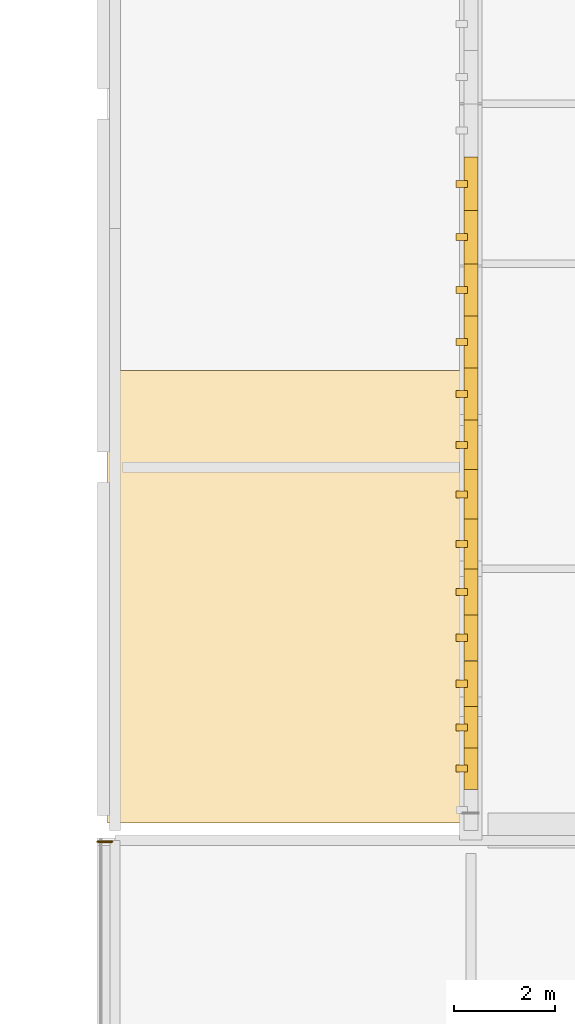
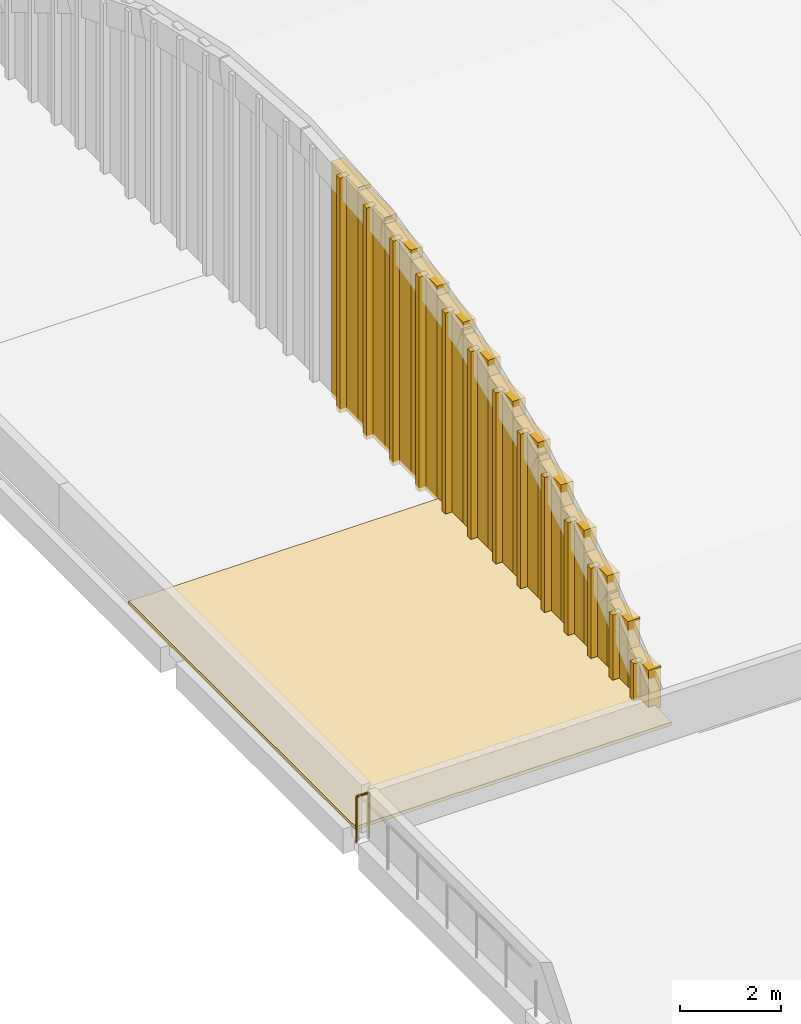
# One storey, part 61 of 71: 27 coverings, 1 railing.
"""IFC4 building model written with IfcOpenShell, lengths in metres."""

from ifc_helpers import new_model, si_unit, direction, frame, frame_2d, origin, origin_2d, place, context, subcontext, project, spatial, polyline, rectangle, circle, outline, extrude, material, layer, layer_set, type_object, element, save


model = new_model("IFC4")

# Units and contexts
model_context = context("Model", 3, precision=1e-05, world=origin(), true_north=direction((0.0, 1.0)))
body_context = subcontext(model_context, "Body", "Model", "MODEL_VIEW")
ifc_project = project(units=[si_unit("LENGTHUNIT", "METRE"), si_unit("AREAUNIT", "SQUARE_METRE"), si_unit("VOLUMEUNIT", "CUBIC_METRE"), si_unit("PLANEANGLEUNIT", "RADIAN"), si_unit("MASSUNIT", "GRAM", prefix="KILO")], contexts=[model_context])

# Site, building, storey
site_placement = place(None, origin())
site = spatial("IfcSite", under=ifc_project, at=site_placement, CompositionType="ELEMENT")
building_placement = place(site_placement, origin())
building = spatial("IfcBuilding", under=site, at=building_placement, Name="Sardonyx Promenade Sports Hall", CompositionType="ELEMENT")
storey_placement = place(building_placement, frame((0.0, 0.0, 16.0)))
storey = spatial("IfcBuildingStorey", under=building, at=storey_placement, Name="L03", CompositionType="ELEMENT", Elevation=16.0)

# Coverings
ifc_material_1 = material(Name="Glulam GL28h", Category="wood")
ifc_layer_1 = layer(ifc_material_1, 0.110107421875)
ifc_layer_set_1 = layer_set([ifc_layer_1], Name="Cov_Louvre_GL28h")
covering_type_1 = type_object("IfcCoveringType", Name="Cov_Louvre_GL28h", PredefinedType="MOLDING", material=ifc_layer_set_1)
covering_1_placement = place(storey_placement, frame((115.02001953125, 51.626708984375, -0.02001953125), z_axis=(0.0, 0.0, 1.0), x_axis=(1.0, 0.0, 0.0)))
element("IfcCovering", 1, at=covering_1_placement, inside=storey, type_object=covering_type_1, Name="Tympanum vertical stone mullion V2-W #2", PredefinedType="MOLDING", context=body_context, shape_type="SweptSolid", body=[
    extrude(rectangle(XDim=0.219970703125, YDim=0.139892578125, at=origin_2d()), origin(), (0.0, 0.0, 1.0), 0.99072265625),
])
covering_2_placement = place(storey_placement, frame((115.02001953125, 52.4443359375, -0.02001953125), z_axis=(0.0, 0.0, 1.0), x_axis=(1.0, 0.0, 0.0)))
element("IfcCovering", 2, at=covering_2_placement, inside=storey, type_object=covering_type_1, Name="Tympanum vertical stone mullion V2-W #3", PredefinedType="MOLDING", context=body_context, shape_type="SweptSolid", body=[
    extrude(rectangle(XDim=0.219970703125, YDim=0.139892578125, at=origin_2d()), origin(), (0.0, 0.0, 1.0), 1.66455078125),
])
covering_3_placement = place(storey_placement, frame((115.02001953125, 53.308837890625, -0.02001953125), z_axis=(0.0, 0.0, 1.0), x_axis=(1.0, 0.0, 0.0)))
element("IfcCovering", 3, at=covering_3_placement, inside=storey, type_object=covering_type_1, Name="Tympanum vertical stone mullion V2-W #4", PredefinedType="MOLDING", context=body_context, shape_type="SweptSolid", body=[
    extrude(rectangle(XDim=0.219970703125, YDim=0.139892578125, at=origin_2d()), origin(), (0.0, 0.0, 1.0), 2.272216796875),
])
covering_4_placement = place(storey_placement, frame((115.02001953125, 54.2197265625, -0.02001953125), z_axis=(0.0, 0.0, 1.0), x_axis=(1.0, 0.0, 0.0)))
element("IfcCovering", 4, at=covering_4_placement, inside=storey, type_object=covering_type_1, Name="Tympanum vertical stone mullion V2-W #5", PredefinedType="MOLDING", context=body_context, shape_type="SweptSolid", body=[
    extrude(rectangle(XDim=0.219970703125, YDim=0.139892578125, at=origin_2d()), origin(), (0.0, 0.0, 1.0), 2.8134765625),
])
covering_5_placement = place(storey_placement, frame((115.02001953125, 55.130859375, -0.02001953125), z_axis=(0.0, 0.0, 1.0), x_axis=(1.0, 0.0, 0.0)))
element("IfcCovering", 5, at=covering_5_placement, inside=storey, type_object=covering_type_1, Name="Tympanum vertical stone mullion V2-W #6", PredefinedType="MOLDING", context=body_context, shape_type="SweptSolid", body=[
    extrude(rectangle(XDim=0.219970703125, YDim=0.139892578125, at=origin_2d()), origin(), (0.0, 0.0, 1.0), 3.3544921875),
])
covering_6_placement = place(storey_placement, frame((115.02001953125, 56.077880859375, -0.02001953125), z_axis=(0.0, 0.0, 1.0), x_axis=(1.0, 0.0, 0.0)))
element("IfcCovering", 6, at=covering_6_placement, inside=storey, type_object=covering_type_1, Name="Tympanum vertical stone mullion V2-W #7", PredefinedType="MOLDING", context=body_context, shape_type="SweptSolid", body=[
    extrude(rectangle(XDim=0.219970703125, YDim=0.139892578125, at=origin_2d()), origin(), (0.0, 0.0, 1.0), 3.8232421875),
])
covering_7_placement = place(storey_placement, frame((115.02001953125, 57.060546875, -0.02001953125), z_axis=(0.0, 0.0, 1.0), x_axis=(1.0, 0.0, 0.0)))
element("IfcCovering", 7, at=covering_7_placement, inside=storey, type_object=covering_type_1, Name="Tympanum vertical stone mullion V2-W #8", PredefinedType="MOLDING", context=body_context, shape_type="SweptSolid", body=[
    extrude(rectangle(XDim=0.219970703125, YDim=0.139892578125, at=origin_2d()), origin(), (0.0, 0.0, 1.0), 4.218994140625),
])
covering_8_placement = place(storey_placement, frame((115.02001953125, 58.04345703125, -0.02001953125), z_axis=(0.0, 0.0, 1.0), x_axis=(1.0, 0.0, 0.0)))
element("IfcCovering", 8, at=covering_8_placement, inside=storey, type_object=covering_type_1, Name="Tympanum vertical stone mullion V2-W #9", PredefinedType="MOLDING", context=body_context, shape_type="SweptSolid", body=[
    extrude(rectangle(XDim=0.219970703125, YDim=0.139892578125, at=origin_2d()), origin(), (0.0, 0.0, 1.0), 4.614990234375),
])
covering_9_placement = place(storey_placement, frame((115.02001953125, 59.051025390625, -0.02001953125), z_axis=(0.0, 0.0, 1.0), x_axis=(1.0, 0.0, 0.0)))
element("IfcCovering", 9, at=covering_9_placement, inside=storey, type_object=covering_type_1, Name="Tympanum vertical stone mullion V2-W #10", PredefinedType="MOLDING", context=body_context, shape_type="SweptSolid", body=[
    extrude(rectangle(XDim=0.219970703125, YDim=0.139892578125, at=origin_2d()), origin(), (0.0, 0.0, 1.0), 4.93359375),
])
covering_10_placement = place(storey_placement, frame((115.02001953125, 60.082763671875, -0.02001953125), z_axis=(0.0, 0.0, 1.0), x_axis=(1.0, 0.0, 0.0)))
element("IfcCovering", 10, at=covering_10_placement, inside=storey, type_object=covering_type_1, Name="Tympanum vertical stone mullion V2-W #11", PredefinedType="MOLDING", context=body_context, shape_type="SweptSolid", body=[
    extrude(rectangle(XDim=0.219970703125, YDim=0.139892578125, at=origin_2d()), origin(), (0.0, 0.0, 1.0), 5.1748046875),
])
covering_11_placement = place(storey_placement, frame((115.02001953125, 61.114501953125, -0.02001953125), z_axis=(0.0, 0.0, 1.0), x_axis=(1.0, 0.0, 0.0)))
element("IfcCovering", 11, at=covering_11_placement, inside=storey, type_object=covering_type_1, Name="Tympanum vertical stone mullion V2-W #12", PredefinedType="MOLDING", context=body_context, shape_type="SweptSolid", body=[
    extrude(rectangle(XDim=0.219970703125, YDim=0.139892578125, at=origin_2d()), origin(), (0.0, 0.0, 1.0), 5.416015625),
])
covering_12_placement = place(storey_placement, frame((115.02001953125, 62.15869140625, -0.02001953125), z_axis=(0.0, 0.0, 1.0), x_axis=(1.0, 0.0, 0.0)))
element("IfcCovering", 12, at=covering_12_placement, inside=storey, type_object=covering_type_1, Name="Tympanum vertical stone mullion V2-W #13", PredefinedType="MOLDING", context=body_context, shape_type="SweptSolid", body=[
    extrude(rectangle(XDim=0.219970703125, YDim=0.139892578125, at=origin_2d()), origin(), (0.0, 0.0, 1.0), 5.577392578125),
])
covering_13_placement = place(storey_placement, frame((115.02001953125, 63.215087890625, -0.02001953125), z_axis=(0.0, 0.0, 1.0), x_axis=(1.0, 0.0, 0.0)))
element("IfcCovering", 13, at=covering_13_placement, inside=storey, type_object=covering_type_1, Name="Tympanum vertical stone mullion V2-W #14", PredefinedType="MOLDING", context=body_context, shape_type="SweptSolid", body=[
    extrude(rectangle(XDim=0.219970703125, YDim=0.139892578125, at=origin_2d()), origin(), (0.0, 0.0, 1.0), 5.658447265625),
])
ifc_material_2 = material(Name="Carved Cape red sandstone ashlar", Category="masonry")
ifc_layer_2 = layer(ifc_material_2, 0.239990234375)
ifc_layer_set_2 = layer_set([ifc_layer_2], Name="Cov_Mughal_Arch")
covering_type_2 = type_object("IfcCoveringType", Name="Cov_Mughal_Arch", PredefinedType="CLADDING", material=ifc_layer_set_2)
covering_14_placement = place(storey_placement, frame((115.199951171875, 51.2177734375, -0.02001953125), z_axis=(0.0, 0.0, 1.0), x_axis=(0.0, 1.0, 0.0)))
element("IfcCovering", 14, at=covering_14_placement, inside=storey, type_object=covering_type_2, Name="Barrel-vault arched tympanum V2-W #2", PredefinedType="CLADDING", context=body_context, shape_type="SweptSolid", body=[
    extrude(rectangle(XDim=0.81787109375, YDim=0.280029296875, at=frame_2d((0.408935546875, 0.0))), origin(), (0.0, 0.0, 1.0), 0.99072265625),
])
covering_15_placement = place(storey_placement, frame((115.199951171875, 52.03564453125, -0.02001953125), z_axis=(0.0, 0.0, 1.0), x_axis=(0.0, 1.0, 0.0)))
element("IfcCovering", 15, at=covering_15_placement, inside=storey, type_object=covering_type_2, Name="Barrel-vault arched tympanum V2-W #3", PredefinedType="CLADDING", context=body_context, shape_type="SweptSolid", body=[
    extrude(rectangle(XDim=0.817626953125, YDim=0.280029296875, at=frame_2d((0.40869140625, 0.0))), origin(), (0.0, 0.0, 1.0), 1.66455078125),
])
covering_16_placement = place(storey_placement, frame((115.199951171875, 52.853271484375, -0.02001953125), z_axis=(0.0, 0.0, 1.0), x_axis=(0.0, 1.0, 0.0)))
element("IfcCovering", 16, at=covering_16_placement, inside=storey, type_object=covering_type_2, Name="Barrel-vault arched tympanum V2-W #4", PredefinedType="CLADDING", context=body_context, shape_type="SweptSolid", body=[
    extrude(rectangle(XDim=0.9111328125, YDim=0.280029296875, at=frame_2d((0.45556640625, 0.0))), origin(), (0.0, 0.0, 1.0), 2.272216796875),
])
covering_17_placement = place(storey_placement, frame((115.199951171875, 53.764404296875, -0.02001953125), z_axis=(0.0, 0.0, 1.0), x_axis=(0.0, 1.0, 0.0)))
element("IfcCovering", 17, at=covering_17_placement, inside=storey, type_object=covering_type_2, Name="Barrel-vault arched tympanum V2-W #5", PredefinedType="CLADDING", context=body_context, shape_type="SweptSolid", body=[
    extrude(rectangle(XDim=0.910888671875, YDim=0.280029296875, at=frame_2d((0.45556640625, 0.0))), origin(), (0.0, 0.0, 1.0), 2.8134765625),
])
covering_18_placement = place(storey_placement, frame((115.199951171875, 54.67529296875, -0.02001953125), z_axis=(0.0, 0.0, 1.0), x_axis=(0.0, 1.0, 0.0)))
element("IfcCovering", 18, at=covering_18_placement, inside=storey, type_object=covering_type_2, Name="Barrel-vault arched tympanum V2-W #6", PredefinedType="CLADDING", context=body_context, shape_type="SweptSolid", body=[
    extrude(rectangle(XDim=0.9111328125, YDim=0.280029296875, at=frame_2d((0.45556640625, 0.0))), origin(), (0.0, 0.0, 1.0), 3.354736328125),
])
covering_19_placement = place(storey_placement, frame((115.199951171875, 55.58642578125, -0.02001953125), z_axis=(0.0, 0.0, 1.0), x_axis=(0.0, 1.0, 0.0)))
element("IfcCovering", 19, at=covering_19_placement, inside=storey, type_object=covering_type_2, Name="Barrel-vault arched tympanum V2-W #7", PredefinedType="CLADDING", context=body_context, shape_type="SweptSolid", body=[
    extrude(rectangle(XDim=0.982666015625, YDim=0.280029296875, at=frame_2d((0.4912109375, 0.0))), origin(), (0.0, 0.0, 1.0), 3.8232421875),
])
covering_20_placement = place(storey_placement, frame((115.199951171875, 56.569091796875, -0.02001953125), z_axis=(0.0, 0.0, 1.0), x_axis=(0.0, 1.0, 0.0)))
element("IfcCovering", 20, at=covering_20_placement, inside=storey, type_object=covering_type_2, Name="Barrel-vault arched tympanum V2-W #8", PredefinedType="CLADDING", context=body_context, shape_type="SweptSolid", body=[
    extrude(rectangle(XDim=0.98291015625, YDim=0.280029296875, at=frame_2d((0.491455078125, 0.0))), origin(), (0.0, 0.0, 1.0), 4.218994140625),
])
covering_21_placement = place(storey_placement, frame((115.199951171875, 57.552001953125, -0.02001953125), z_axis=(0.0, 0.0, 1.0), x_axis=(0.0, 1.0, 0.0)))
element("IfcCovering", 21, at=covering_21_placement, inside=storey, type_object=covering_type_2, Name="Barrel-vault arched tympanum V2-W #9", PredefinedType="CLADDING", context=body_context, shape_type="SweptSolid", body=[
    extrude(rectangle(XDim=0.98291015625, YDim=0.280029296875, at=frame_2d((0.491455078125, 0.0))), origin(), (0.0, 0.0, 1.0), 4.614990234375),
])
covering_22_placement = place(storey_placement, frame((115.199951171875, 58.534912109375, -0.02001953125), z_axis=(0.0, 0.0, 1.0), x_axis=(0.0, 1.0, 0.0)))
element("IfcCovering", 22, at=covering_22_placement, inside=storey, type_object=covering_type_2, Name="Barrel-vault arched tympanum V2-W #10", PredefinedType="CLADDING", context=body_context, shape_type="SweptSolid", body=[
    extrude(rectangle(XDim=1.031982421875, YDim=0.280029296875, at=frame_2d((0.51611328125, 0.0))), origin(), (0.0, 0.0, 1.0), 4.93359375),
])
covering_23_placement = place(storey_placement, frame((115.199951171875, 59.56689453125, -0.02001953125), z_axis=(0.0, 0.0, 1.0), x_axis=(0.0, 1.0, 0.0)))
element("IfcCovering", 23, at=covering_23_placement, inside=storey, type_object=covering_type_2, Name="Barrel-vault arched tympanum V2-W #11", PredefinedType="CLADDING", context=body_context, shape_type="SweptSolid", body=[
    extrude(rectangle(XDim=1.03173828125, YDim=0.280029296875, at=frame_2d((0.515869140625, 0.0))), origin(), (0.0, 0.0, 1.0), 5.1748046875),
])
covering_24_placement = place(storey_placement, frame((115.199951171875, 60.5986328125, -0.02001953125), z_axis=(0.0, 0.0, 1.0), x_axis=(0.0, 1.0, 0.0)))
element("IfcCovering", 24, at=covering_24_placement, inside=storey, type_object=covering_type_2, Name="Barrel-vault arched tympanum V2-W #12", PredefinedType="CLADDING", context=body_context, shape_type="SweptSolid", body=[
    extrude(rectangle(XDim=1.03173828125, YDim=0.280029296875, at=frame_2d((0.515869140625, 0.0))), origin(), (0.0, 0.0, 1.0), 5.416015625),
])
covering_25_placement = place(storey_placement, frame((115.199951171875, 61.63037109375, -0.02001953125), z_axis=(0.0, 0.0, 1.0), x_axis=(0.0, 1.0, 0.0)))
element("IfcCovering", 25, at=covering_25_placement, inside=storey, type_object=covering_type_2, Name="Barrel-vault arched tympanum V2-W #13", PredefinedType="CLADDING", context=body_context, shape_type="SweptSolid", body=[
    extrude(rectangle(XDim=1.056640625, YDim=0.280029296875, at=frame_2d((0.5283203125, 0.0))), origin(), (0.0, 0.0, 1.0), 5.577392578125),
])
covering_26_placement = place(storey_placement, frame((115.199951171875, 62.68701171875, -0.02001953125), z_axis=(0.0, 0.0, 1.0), x_axis=(0.0, 1.0, 0.0)))
element("IfcCovering", 26, at=covering_26_placement, inside=storey, type_object=covering_type_2, Name="Barrel-vault arched tympanum V2-W #14", PredefinedType="CLADDING", context=body_context, shape_type="SweptSolid", body=[
    extrude(rectangle(XDim=1.056396484375, YDim=0.280029296875, at=frame_2d((0.5283203125, 0.0))), origin(), (0.0, 0.0, 1.0), 5.658447265625),
])
ifc_material_3 = material(Name="TPO insulated waterproof roofing membrane", Category="other")
ifc_layer_3 = layer(ifc_material_3, 0.080078125)
ifc_layer_set_3 = layer_set([ifc_layer_3], Name="Cov_Roofing_Membrane")
covering_type_3 = type_object("IfcCoveringType", Name="Cov_Roofing_Membrane", PredefinedType="ROOFING", material=ifc_layer_set_3)
covering_27_placement = place(storey_placement, origin())
element("IfcCovering", 27, at=covering_27_placement, inside=storey, type_object=covering_type_3, Name="Insulated TPO roofing membrane L03 #13", PredefinedType="ROOFING", context=body_context, shape_type="SweptSolid", body=[
    extrude(outline(polyline([(108.0, 50.550048828125), (115.199951171875, 50.550048828125), (115.199951171875, 59.512451171875), (108.0, 59.512451171875), (108.0, 50.550048828125)])), origin(), (0.0, 0.0, 1.0), 0.080078125),
])

# Railing
ifc_material_4 = material(Name="Powder-coated Steel S355JR", Category="steel")
railing_type = type_object("IfcRailingType", Name="Rail_Int_Guard_1100", PredefinedType="GUARDRAIL", material=ifc_material_4)
railing_placement = place(storey_placement, frame((108.090087890625, 50.179931640625, 0.0)))
element("IfcRailing", 28, at=railing_placement, inside=storey, type_object=railing_type, Name="Deck-edge guardrail GR02 L03 #59", PredefinedType="GUARDRAIL", context=body_context, shape_type="SweptSolid", body=[
    extrude(circle(Radius=0.02392578125, at=origin_2d()), frame((0.0, 0.0, 1.09619140625), z_axis=(-1.0, 0.0, 0.0), x_axis=(0.0, -1.0, 0.0)), (0.0, 0.0, 1.0), 0.2900390625),
    extrude(circle(Radius=0.02099609375, at=origin_2d()), origin(), (0.0, 0.0, 1.0), 1.072021484375),
    extrude(circle(Radius=0.02099609375, at=origin_2d()), frame((-0.2900390625, 0.0, 0.0)), (0.0, 0.0, 1.0), 1.072021484375),
])

save(model, "model.ifc")
